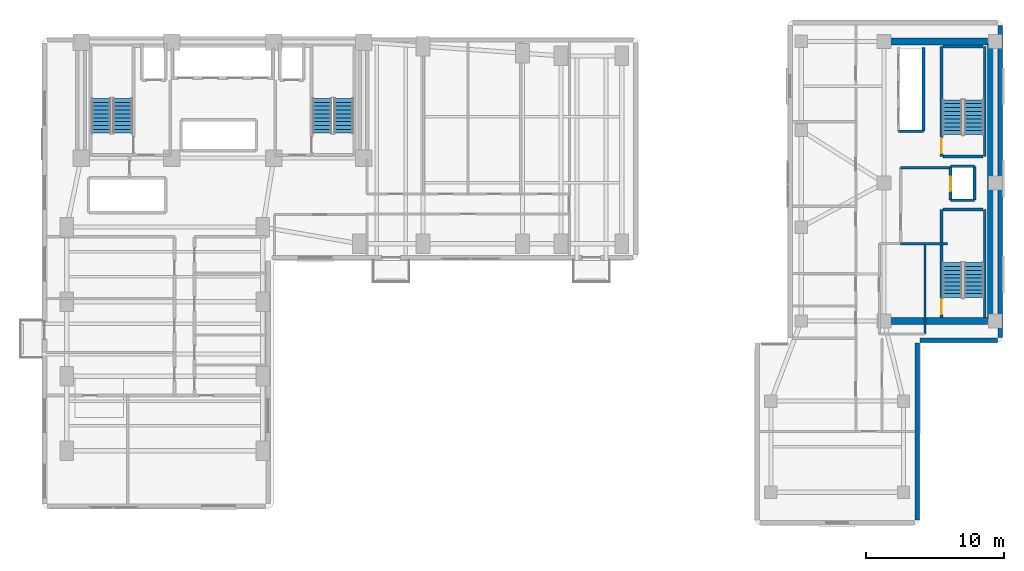
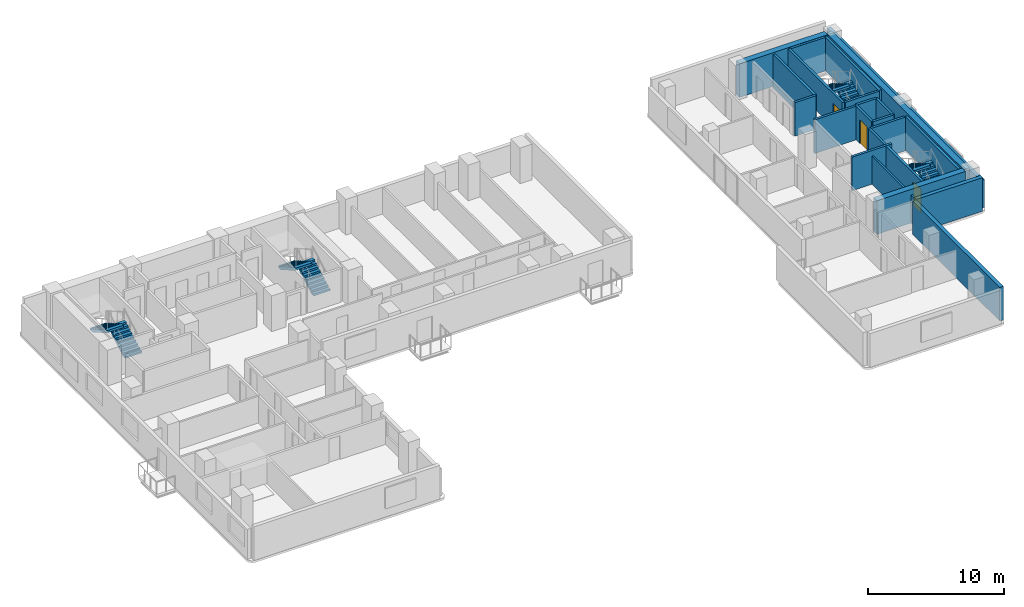
# One storey, part 13 of 17: 22 walls, 8 stair flights, 3 doors, 3 openings, 4 elements without a shape of their own.
"""IFC4 building model written with IfcOpenShell, lengths in metres."""

from ifc_helpers import new_model, si_unit, direction, frame, frame_2d, origin, place, context, subcontext, project, spatial, polyline, rectangle, outline, extrude, material, layer, layer_set, type_object, element, fill, aggregate, save


model = new_model("IFC4")

# Units and contexts
model_context = context("Model", 3, precision=1e-05, world=origin(), true_north=direction((0.0, 1.0)))
body_context = subcontext(model_context, "Body", "Model", "MODEL_VIEW")
ifc_project = project(units=[si_unit("LENGTHUNIT", "METRE"), si_unit("AREAUNIT", "SQUARE_METRE"), si_unit("VOLUMEUNIT", "CUBIC_METRE"), si_unit("PLANEANGLEUNIT", "RADIAN"), si_unit("MASSUNIT", "GRAM", prefix="KILO")], contexts=[model_context])

# Site, building, storey
site_placement = place(None, origin())
site = spatial("IfcSite", under=ifc_project, at=site_placement, CompositionType="ELEMENT")
building_placement = place(site_placement, origin())
building = spatial("IfcBuilding", under=site, at=building_placement, Name="Kuzgunbayir Cultural Tower", CompositionType="ELEMENT")
storey_placement = place(building_placement, frame((0.0, 0.0, 56.39990234375)))
storey = spatial("IfcBuildingStorey", under=building, at=storey_placement, Name="L15", CompositionType="ELEMENT", Elevation=56.39990234375)

# Walls
ifc_material_1 = material(Name="Travertine Buff Ashlar", Category="masonry")
ifc_layer_1 = layer(ifc_material_1, 0.320068359375)
ifc_layer_set_1 = layer_set([ifc_layer_1], Name="Travertine Buff Ashlar")
wall_type_1 = type_object("IfcWallType", Name="WAL-EXT-STONE-320", PredefinedType="STANDARD", material=ifc_layer_set_1)
wall_1_placement = place(storey_placement, frame((73.0, 20.800048828125, 0.0), z_axis=(0.0, 0.0, 1.0), x_axis=(0.0, 1.0, 0.0)))
element("IfcWall", 1, at=wall_1_placement, inside=storey, type_object=wall_type_1, Name="L15 Companion East Limestone Wall", PredefinedType="STANDARD", context=body_context, shape_type="SweptSolid", body=[
    extrude(rectangle(XDim=22.599853515625, YDim=0.320068359375, at=frame_2d((11.2998046875, 0.0))), origin(), (0.0, 0.0, 1.0), 2.510009765625),
])
wall_2_placement = place(storey_placement, frame((67.0, 7.60009765625, 0.0), z_axis=(0.0, 0.0, 1.0), x_axis=(0.0, 1.0, 0.0)))
element("IfcWall", 2, at=wall_2_placement, inside=storey, type_object=wall_type_1, Name="L15 Companion Wing B East Wall", PredefinedType="STANDARD", context=body_context, shape_type="SweptSolid", body=[
    extrude(rectangle(XDim=12.7998046875, YDim=0.320068359375, at=frame_2d((6.39990234375, 0.0))), origin(), (0.0, 0.0, 1.0), 3.02001953125),
])
wall_3_placement = place(storey_placement, frame((67.199951171875, 20.60009765625, 0.0), z_axis=(0.0, 0.0, 1.0), x_axis=(1.0, 0.0, 0.0)))
element("IfcWall", 3, at=wall_3_placement, inside=storey, type_object=wall_type_1, Name="L15 Companion South-East Link", PredefinedType="STANDARD", context=body_context, shape_type="SweptSolid", body=[
    extrude(rectangle(XDim=5.60009765625, YDim=0.320068359375, at=frame_2d((2.800048828125, 0.0))), origin(), (0.0, 0.0, 1.0), 3.02001953125),
])
ifc_material_2 = material(Name="Acoustic Double-Stud Drywall", Category="gypsum")
ifc_layer_2 = layer(ifc_material_2, 0.14990234375)
ifc_layer_set_2 = layer_set([ifc_layer_2], Name="Acoustic Double-Stud Drywall")
wall_type_2 = type_object("IfcWallType", Name="WAL-PART-ACOUSTIC-150", PredefinedType="PARTITIONING", material=ifc_layer_set_2)
wall_4_placement = place(storey_placement, frame((67.550048828125, 21.050048828125, 0.0), z_axis=(0.0, 0.0, 1.0), x_axis=(0.0, 1.0, 0.0)))
element("IfcWall", 4, at=wall_4_placement, inside=storey, type_object=wall_type_2, Name="L15 Companion Archive East Wall", PredefinedType="PARTITIONING", context=body_context, shape_type="SweptSolid", body=[
    extrude(rectangle(XDim=6.469970703125, YDim=0.14990234375, at=frame_2d((3.23486328125, 0.0))), origin(), (0.0, 0.0, 1.0), 2.510009765625),
])
ifc_material_3 = material(Name="Aerated Concrete Blockwork", Category="masonry")
ifc_layer_3 = layer(ifc_material_3, 0.199951171875)
ifc_layer_set_3 = layer_set([ifc_layer_3], Name="Aerated Concrete Blockwork")
wall_type_3 = type_object("IfcWallType", Name="WAL-PART-FIRE-200", PredefinedType="PARTITIONING", material=ifc_layer_set_3)
wall_5_placement = place(storey_placement, frame((65.800048828125, 33.10009765625, 0.0), z_axis=(0.0, 0.0, 1.0), x_axis=(1.0, 0.0, 0.0)))
element("IfcWall", 5, at=wall_5_placement, inside=storey, type_object=wall_type_3, Name="L15 FFL-3 Lobby North Fire Wall", PredefinedType="PARTITIONING", context=body_context, shape_type="SweptSolid", body=[
    extrude(rectangle(XDim=3.599853515625, YDim=0.199951171875, at=frame_2d((1.7998046875, 0.0))), origin(), (0.0, 0.0, 1.0), 3.02001953125),
])
wall_6_placement = place(storey_placement, frame((65.800048828125, 27.60009765625, 0.0), z_axis=(0.0, 0.0, 1.0), x_axis=(1.0, 0.0, 0.0)))
element("IfcWall", 6, at=wall_6_placement, inside=storey, type_object=wall_type_3, Name="L15 FFL-3 Lobby South Fire Wall", PredefinedType="PARTITIONING", context=body_context, shape_type="SweptSolid", body=[
    extrude(rectangle(XDim=3.39990234375, YDim=0.199951171875, at=frame_2d((1.699951171875, 0.0))), origin(), (0.0, 0.0, 1.0), 3.02001953125),
])
ifc_material_4 = material(Name="Concrete C40/50", Category="concrete")
ifc_layer_4 = layer(ifc_material_4, 0.199951171875)
ifc_layer_set_4 = layer_set([ifc_layer_4], Name="Concrete C40/50")
wall_type_4 = type_object("IfcWallType", Name="WAL-SHAFT-200", PredefinedType="MOVABLE", material=ifc_layer_set_4)
wall_7_placement = place(storey_placement, frame((67.449951171875, 35.75, 0.0), z_axis=(0.0, 0.0, 1.0), x_axis=(0.0, 1.0, 0.0)))
element("IfcWall", 7, at=wall_7_placement, inside=storey, type_object=wall_type_4, Name="L15 Companion Lift Shaft Back Wall", PredefinedType="MOVABLE", context=body_context, shape_type="SweptSolid", body=[
    extrude(rectangle(XDim=6.050048828125, YDim=0.199951171875, at=frame_2d((3.02490234375, 0.0))), origin(), (0.0, 0.0, 1.0), 3.02001953125),
])
wall_8_placement = place(storey_placement, frame((65.64990234375, 35.75, 0.0), z_axis=(0.0, 0.0, 1.0), x_axis=(1.0, 0.0, 0.0)))
element("IfcWall", 8, at=wall_8_placement, inside=storey, type_object=wall_type_4, Name="L15 Companion Lift Shaft South Wall", PredefinedType="MOVABLE", context=body_context, shape_type="SweptSolid", body=[
    extrude(rectangle(XDim=1.800048828125, YDim=0.199951171875, at=frame_2d((0.89990234375, 0.0))), origin(), (0.0, 0.0, 1.0), 3.02001953125),
])

# Wall, opening, door
wall_9_placement = place(storey_placement, frame((69.39990234375, 30.75, 0.0), z_axis=(0.0, 0.0, 1.0), x_axis=(0.0, 1.0, 0.0)))
wall_9 = element("IfcWall", 9, at=wall_9_placement, inside=storey, type_object=wall_type_4, Name="L15 FFL-3 Lift Front Wall", PredefinedType="MOVABLE", context=body_context, shape_type="SweptSolid", body=[
    extrude(rectangle(XDim=2.449951171875, YDim=0.199951171875, at=frame_2d((1.22509765625, 0.0))), origin(), (0.0, 0.0, 1.0), 3.02001953125),
])
opening_1_placement = place(wall_9_placement, frame((0.64990234375, 0.0, 0.0)))
opening_1 = element("IfcOpeningElement", 10, at=opening_1_placement, cuts=wall_9, Name="Opening LD", PredefinedType="OPENING", context=body_context, shape_type="SweptSolid", body=[
    extrude(rectangle(XDim=1.050048828125, YDim=2.14990234375, at=frame_2d((0.52490234375, 1.074951171875))), frame((0.0, 0.10986328125, 0.0), z_axis=(0.0, -1.0, 0.0), x_axis=(1.0, 0.0, 0.0)), (0.0, 0.0, 1.0), 0.219970703125),
])
ifc_material_5 = material(Name="Brushed Stainless Steel", Category="steel")
door_type_1 = type_object("IfcDoorType", Name="DR-LIFT-LANDING", OperationType="SLIDING_TO_LEFT", PredefinedType="DOOR", material=ifc_material_5)
door_1_placement = place(opening_1_placement, origin())
door_1 = element("IfcDoor", 11, at=door_1_placement, inside=storey, type_object=door_type_1, Name="L15 Lift FFL-3 Landing Door", OperationType="SLIDING_TO_LEFT", OverallHeight=2.14990234375, OverallWidth=1.050048828125, PredefinedType="DOOR", context=body_context, shape_type="SweptSolid", body=[
    extrude(rectangle(XDim=1.050048828125, YDim=2.14990234375, at=frame_2d((0.52490234375, 1.074951171875))), frame((0.0, 0.02490234375, 0.0), z_axis=(0.0, -1.0, 0.0), x_axis=(1.0, 0.0, 0.0)), (0.0, 0.0, 1.0), 0.050048828125),
])
fill(opening_1, door_1)

# Walls
wall_10_placement = place(storey_placement, frame((71.14990234375, 30.75, 0.0), z_axis=(0.0, 0.0, 1.0), x_axis=(0.0, 1.0, 0.0)))
element("IfcWall", 12, at=wall_10_placement, inside=storey, type_object=wall_type_4, Name="L15 FFL-3 Shaft Back Wall", PredefinedType="MOVABLE", context=body_context, shape_type="SweptSolid", body=[
    extrude(rectangle(XDim=2.449951171875, YDim=0.199951171875, at=frame_2d((1.22509765625, 0.0))), origin(), (0.0, 0.0, 1.0), 3.02001953125),
])
for number, where, z_axis, x_axis, name in (
    (13, (69.39990234375, 33.199951171875, 0.0), (0.0, 0.0, 1.0), (1.0, 0.0, 0.0), "L15 FFL-3 Shaft North Wall"),
    (14, (69.39990234375, 30.75, 0.0), (0.0, 0.0, 1.0), (1.0, 0.0, 0.0), "L15 FFL-3 Shaft South Wall"),
):
    element("IfcWall", number, at=place(storey_placement, frame(where, z_axis=z_axis, x_axis=x_axis)), inside=storey, type_object=wall_type_4, Name=name, PredefinedType="MOVABLE", context=body_context, shape_type="SweptSolid", body=[
        extrude(rectangle(XDim=1.75, YDim=0.199951171875, at=frame_2d((0.875, 0.0))), origin(), (0.0, 0.0, 1.0), 3.02001953125),
    ])

# Wall, opening, door
ifc_layer_5 = layer(ifc_material_4, 0.199951171875)
ifc_layer_set_5 = layer_set([ifc_layer_5], Name="Concrete C40/50")
wall_type_5 = type_object("IfcWallType", Name="WAL-STAIR-RC-200", PredefinedType="SHEAR", material=ifc_layer_set_5)
wall_11_placement = place(storey_placement, frame((68.760009765625, 22.260009765625, 0.0), z_axis=(0.0, 0.0, 1.0), x_axis=(0.0, 1.0, 0.0)))
wall_11 = element("IfcWall", 15, at=wall_11_placement, inside=storey, type_object=wall_type_5, Name="L15 Stair ST-3 West Structural Wall", PredefinedType="SHEAR", context=body_context, shape_type="SweptSolid", body=[
    extrude(rectangle(XDim=7.820068359375, YDim=0.199951171875, at=frame_2d((3.91015625, 0.0))), origin(), (0.0, 0.0, 1.0), 3.02001953125),
])
opening_2_placement = place(wall_11_placement, frame((0.219970703125, 0.0, 0.0)))
opening_2 = element("IfcOpeningElement", 16, at=opening_2_placement, cuts=wall_11, Name="Opening DR-STAIR-90", PredefinedType="OPENING", context=body_context, shape_type="SweptSolid", body=[
    extrude(rectangle(XDim=1.10009765625, YDim=2.14990234375, at=frame_2d((0.550048828125, 1.074951171875))), frame((0.0, 0.10986328125, 0.0), z_axis=(0.0, -1.0, 0.0), x_axis=(1.0, 0.0, 0.0)), (0.0, 0.0, 1.0), 0.219970703125),
])
ifc_material_6 = material(Name="Steel S355J2", Category="steel")
door_type_2 = type_object("IfcDoorType", Name="DR-STAIR-90", OperationType="NOTDEFINED", PredefinedType="DOOR", material=ifc_material_6)
door_2_placement = place(opening_2_placement, origin())
door_2 = element("IfcDoor", 17, at=door_2_placement, inside=storey, type_object=door_type_2, Name="L15 Stair ST-3 Fire Door", OperationType="SINGLE_SWING_LEFT", OverallHeight=2.14990234375, OverallWidth=1.10009765625, PredefinedType="DOOR", context=body_context, shape_type="SweptSolid", body=[
    extrude(rectangle(XDim=1.10009765625, YDim=2.14990234375, at=frame_2d((0.550048828125, 1.074951171875))), frame((0.0, 0.02490234375, 0.0), z_axis=(0.0, -1.0, 0.0), x_axis=(1.0, 0.0, 0.0)), (0.0, 0.0, 1.0), 0.050048828125),
])
fill(opening_2, door_2)

# Walls
wall_12_placement = place(storey_placement, frame((71.8798828125, 22.260009765625, 0.0), z_axis=(0.0, 0.0, 1.0), x_axis=(0.0, 1.0, 0.0)))
element("IfcWall", 18, at=wall_12_placement, inside=storey, type_object=wall_type_5, Name="L15 Stair ST-3 East Structural Wall", PredefinedType="SHEAR", context=body_context, shape_type="SweptSolid", body=[
    extrude(rectangle(XDim=7.820068359375, YDim=0.199951171875, at=frame_2d((3.91015625, 0.0))), origin(), (0.0, 0.0, 1.0), 3.02001953125),
])
wall_13_placement = place(storey_placement, frame((68.8798828125, 30.080078125, 0.0), z_axis=(0.0, 0.0, 1.0), x_axis=(1.0, 0.0, 0.0)))
element("IfcWall", 19, at=wall_13_placement, inside=storey, type_object=wall_type_5, Name="L15 Stair ST-3 North Structural Wall", PredefinedType="SHEAR", context=body_context, shape_type="SweptSolid", body=[
    extrude(rectangle(XDim=2.880126953125, YDim=0.199951171875, at=frame_2d((1.43994140625, 0.0))), origin(), (0.0, 0.0, 1.0), 3.02001953125),
])

# Wall, opening, door
wall_14_placement = place(storey_placement, frame((68.760009765625, 33.919921875, 0.0), z_axis=(0.0, 0.0, 1.0), x_axis=(0.0, 1.0, 0.0)))
wall_14 = element("IfcWall", 20, at=wall_14_placement, inside=storey, type_object=wall_type_5, Name="L15 Stair ST-4 West Structural Wall", PredefinedType="SHEAR", context=body_context, shape_type="SweptSolid", body=[
    extrude(rectangle(XDim=7.9599609375, YDim=0.199951171875, at=frame_2d((3.97998046875, 0.0))), origin(), (0.0, 0.0, 1.0), 3.02001953125),
])
opening_3_placement = place(wall_14_placement, frame((0.219970703125, 0.0, 0.0)))
opening_3 = element("IfcOpeningElement", 21, at=opening_3_placement, cuts=wall_14, Name="Opening DR-STAIR-90", PredefinedType="OPENING", context=body_context, shape_type="SweptSolid", body=[
    extrude(rectangle(XDim=1.10009765625, YDim=2.14990234375, at=frame_2d((0.550048828125, 1.074951171875))), frame((0.0, 0.10986328125, 0.0), z_axis=(0.0, -1.0, 0.0), x_axis=(1.0, 0.0, 0.0)), (0.0, 0.0, 1.0), 0.219970703125),
])
door_3_placement = place(opening_3_placement, origin())
door_3 = element("IfcDoor", 22, at=door_3_placement, inside=storey, type_object=door_type_2, Name="L15 Stair ST-4 Fire Door", OperationType="SINGLE_SWING_RIGHT", OverallHeight=2.14990234375, OverallWidth=1.10009765625, PredefinedType="DOOR", context=body_context, shape_type="SweptSolid", body=[
    extrude(rectangle(XDim=1.10009765625, YDim=2.14990234375, at=frame_2d((0.550048828125, 1.074951171875))), frame((0.0, 0.02490234375, 0.0), z_axis=(0.0, -1.0, 0.0), x_axis=(1.0, 0.0, 0.0)), (0.0, 0.0, 1.0), 0.050048828125),
])
fill(opening_3, door_3)

# Walls
wall_15_placement = place(storey_placement, frame((71.8798828125, 33.919921875, 0.0), z_axis=(0.0, 0.0, 1.0), x_axis=(0.0, 1.0, 0.0)))
element("IfcWall", 23, at=wall_15_placement, inside=storey, type_object=wall_type_5, Name="L15 Stair ST-4 East Structural Wall", PredefinedType="SHEAR", context=body_context, shape_type="SweptSolid", body=[
    extrude(rectangle(XDim=7.9599609375, YDim=0.199951171875, at=frame_2d((3.97998046875, 0.0))), origin(), (0.0, 0.0, 1.0), 3.02001953125),
])
for number, where, z_axis, x_axis, name in (
    (24, (68.8798828125, 41.8798828125, 0.0), (0.0, 0.0, 1.0), (1.0, 0.0, 0.0), "L15 Stair ST-4 North Structural Wall"),
    (25, (68.8798828125, 33.919921875, 0.0), (0.0, 0.0, 1.0), (1.0, 0.0, 0.0), "L15 Stair ST-4 South Structural Wall"),
):
    element("IfcWall", number, at=place(storey_placement, frame(where, z_axis=z_axis, x_axis=x_axis)), inside=storey, type_object=wall_type_5, Name=name, PredefinedType="SHEAR", context=body_context, shape_type="SweptSolid", body=[
        extrude(rectangle(XDim=2.880126953125, YDim=0.199951171875, at=frame_2d((1.43994140625, 0.0))), origin(), (0.0, 0.0, 1.0), 3.02001953125),
    ])
ifc_material_7 = material(Name="Concrete C60/75", Category="concrete")
ifc_layer_6 = layer(ifc_material_7, 0.5)
ifc_layer_set_6 = layer_set([ifc_layer_6], Name="Concrete C60/75")
wall_type_6 = type_object("IfcWallType", Name="WAL-T2-CORE-500", PredefinedType="SHEAR", material=ifc_layer_set_6)
wall_16_placement = place(storey_placement, frame((72.35009765625, 22.0, 0.0), z_axis=(0.0, 0.0, 1.0), x_axis=(0.0, 1.0, 0.0)))
element("IfcWall", 26, at=wall_16_placement, inside=storey, type_object=wall_type_6, Name="L15 Companion Core East Shear Wall", PredefinedType="SHEAR", context=body_context, shape_type="SweptSolid", body=[
    extrude(rectangle(XDim=20.25, YDim=0.5, at=frame_2d((10.125, 0.0))), origin(), (0.0, 0.0, 1.0), 3.02001953125),
])
for number, where, z_axis, x_axis, name in (
    (27, (64.60009765625, 42.25, 0.0), (0.0, 0.0, 1.0), (1.0, 0.0, 0.0), "L15 Companion Core North Shear Wall"),
    (28, (64.60009765625, 22.0, 0.0), (0.0, 0.0, 1.0), (1.0, 0.0, 0.0), "L15 Companion Core South Shear Wall"),
):
    element("IfcWall", number, at=place(storey_placement, frame(where, z_axis=z_axis, x_axis=x_axis)), inside=storey, type_object=wall_type_6, Name=name, PredefinedType="SHEAR", context=body_context, shape_type="SweptSolid", body=[
        extrude(rectangle(XDim=7.5, YDim=0.5, at=frame_2d((3.75, 0.0))), origin(), (0.0, 0.0, 1.0), 3.02001953125),
    ])

# Stair, stair flights
stair_type = type_object("IfcStairType", Name="STR-EXIT-CORE", PredefinedType="HALF_TURN_STAIR", material=ifc_material_4)
stair_1_placement = place(storey_placement, origin())
stair_1 = element("IfcStair", 29, at=stair_1_placement, inside=storey, type_object=stair_type, Name="L15 ST-1", PredefinedType="HALF_TURN_STAIR")
stair_flight_type = type_object("IfcStairFlightType", Name="STRF-RC-140", PredefinedType="STRAIGHT", material=ifc_material_4)
stair_flight_1_placement = place(storey_placement, frame((9.4599609375, 35.60009765625, 0.0), z_axis=(0.0, 0.0, 1.0), x_axis=(0.0, 1.0, 0.0)))
stair_flight_1 = element("IfcStairFlight", 30, at=stair_flight_1_placement, type_object=stair_flight_type, Name="ST-1 flight 1", NumberOfRisers=10, NumberOfTreads=9, PredefinedType="STRAIGHT", RiserHeight=0.16, TreadLength=0.28, context=body_context, shape_type="SweptSolid", body=[
    extrude(outline(polyline([(0.0, 0.0), (0.0, 0.159912109375), (0.280029296875, 0.159912109375), (0.280029296875, 0.320068359375), (0.56005859375, 0.320068359375), (0.56005859375, 0.47998046875), (0.840087890625, 0.47998046875), (0.840087890625, 0.639892578125), (1.1201171875, 0.639892578125), (1.1201171875, 0.800048828125), (1.39990234375, 0.800048828125), (1.39990234375, 0.9599609375), (1.679931640625, 0.9599609375), (1.679931640625, 1.1201171875), (1.9599609375, 1.1201171875), (1.9599609375, 1.280029296875), (2.239990234375, 1.280029296875), (2.239990234375, 1.43994140625), (2.52001953125, 1.43994140625), (2.52001953125, 1.60009765625), (2.52001953125, 1.232666015625), (0.362548828125, 0.0), (0.0, 0.0)])), frame((0.0, 0.699951171875, 0.0), z_axis=(0.0, -1.0, 0.0), x_axis=(1.0, 0.0, 0.0)), (0.0, 0.0, 1.0), 1.39990234375),
])
stair_flight_2_placement = place(storey_placement, frame((7.89990234375, 38.1201171875, 1.60009765625), z_axis=(0.0, 0.0, 1.0), x_axis=(0.0, -1.0, 0.0)))
stair_flight_2 = element("IfcStairFlight", 31, at=stair_flight_2_placement, type_object=stair_flight_type, Name="ST-1 flight 2", NumberOfRisers=10, NumberOfTreads=9, PredefinedType="STRAIGHT", RiserHeight=0.16, TreadLength=0.28, context=body_context, shape_type="SweptSolid", body=[
    extrude(outline(polyline([(0.0, 0.0), (0.0, 0.159912109375), (0.280029296875, 0.159912109375), (0.280029296875, 0.320068359375), (0.56005859375, 0.320068359375), (0.56005859375, 0.47998046875), (0.840087890625, 0.47998046875), (0.840087890625, 0.639892578125), (1.1201171875, 0.639892578125), (1.1201171875, 0.800048828125), (1.39990234375, 0.800048828125), (1.39990234375, 0.9599609375), (1.679931640625, 0.9599609375), (1.679931640625, 1.1201171875), (1.9599609375, 1.1201171875), (1.9599609375, 1.280029296875), (2.239990234375, 1.280029296875), (2.239990234375, 1.43994140625), (2.52001953125, 1.43994140625), (2.52001953125, 1.60009765625), (2.52001953125, 1.232666015625), (0.362548828125, 0.0), (0.0, 0.0)])), frame((0.0, 0.699951171875, 0.0), z_axis=(0.0, -1.0, 0.0), x_axis=(1.0, 0.0, 0.0)), (0.0, 0.0, 1.0), 1.39990234375),
])
aggregate(stair_1, [stair_flight_1, stair_flight_2])

stair_2_placement = place(storey_placement, origin())
stair_2 = element("IfcStair", 32, at=stair_2_placement, inside=storey, type_object=stair_type, Name="L15 ST-2", PredefinedType="HALF_TURN_STAIR")
stair_flight_3_placement = place(storey_placement, frame((25.4599609375, 35.60009765625, 0.0), z_axis=(0.0, 0.0, 1.0), x_axis=(0.0, 1.0, 0.0)))
stair_flight_3 = element("IfcStairFlight", 33, at=stair_flight_3_placement, type_object=stair_flight_type, Name="ST-2 flight 1", NumberOfRisers=10, NumberOfTreads=9, PredefinedType="STRAIGHT", RiserHeight=0.16, TreadLength=0.28, context=body_context, shape_type="SweptSolid", body=[
    extrude(outline(polyline([(0.0, 0.0), (0.0, 0.159912109375), (0.280029296875, 0.159912109375), (0.280029296875, 0.320068359375), (0.56005859375, 0.320068359375), (0.56005859375, 0.47998046875), (0.840087890625, 0.47998046875), (0.840087890625, 0.639892578125), (1.1201171875, 0.639892578125), (1.1201171875, 0.800048828125), (1.39990234375, 0.800048828125), (1.39990234375, 0.9599609375), (1.679931640625, 0.9599609375), (1.679931640625, 1.1201171875), (1.9599609375, 1.1201171875), (1.9599609375, 1.280029296875), (2.239990234375, 1.280029296875), (2.239990234375, 1.43994140625), (2.52001953125, 1.43994140625), (2.52001953125, 1.60009765625), (2.52001953125, 1.232666015625), (0.362548828125, 0.0), (0.0, 0.0)])), frame((0.0, 0.699951171875, 0.0), z_axis=(0.0, -1.0, 0.0), x_axis=(1.0, 0.0, 0.0)), (0.0, 0.0, 1.0), 1.39990234375),
])
stair_flight_4_placement = place(storey_placement, frame((23.89990234375, 38.1201171875, 1.60009765625), z_axis=(0.0, 0.0, 1.0), x_axis=(0.0, -1.0, 0.0)))
stair_flight_4 = element("IfcStairFlight", 34, at=stair_flight_4_placement, type_object=stair_flight_type, Name="ST-2 flight 2", NumberOfRisers=10, NumberOfTreads=9, PredefinedType="STRAIGHT", RiserHeight=0.16, TreadLength=0.28, context=body_context, shape_type="SweptSolid", body=[
    extrude(outline(polyline([(0.0, 0.0), (0.0, 0.159912109375), (0.280029296875, 0.159912109375), (0.280029296875, 0.320068359375), (0.56005859375, 0.320068359375), (0.56005859375, 0.47998046875), (0.840087890625, 0.47998046875), (0.840087890625, 0.639892578125), (1.1201171875, 0.639892578125), (1.1201171875, 0.800048828125), (1.39990234375, 0.800048828125), (1.39990234375, 0.9599609375), (1.679931640625, 0.9599609375), (1.679931640625, 1.1201171875), (1.9599609375, 1.1201171875), (1.9599609375, 1.280029296875), (2.239990234375, 1.280029296875), (2.239990234375, 1.43994140625), (2.52001953125, 1.43994140625), (2.52001953125, 1.60009765625), (2.52001953125, 1.232666015625), (0.362548828125, 0.0), (0.0, 0.0)])), frame((0.0, 0.699951171875, 0.0), z_axis=(0.0, -1.0, 0.0), x_axis=(1.0, 0.0, 0.0)), (0.0, 0.0, 1.0), 1.39990234375),
])
aggregate(stair_2, [stair_flight_3, stair_flight_4])

stair_3_placement = place(storey_placement, origin())
stair_3 = element("IfcStair", 35, at=stair_3_placement, inside=storey, type_object=stair_type, Name="L15 ST-3", PredefinedType="HALF_TURN_STAIR")
stair_flight_5_placement = place(storey_placement, frame((71.10009765625, 23.699951171875, 0.0), z_axis=(0.0, 0.0, 1.0), x_axis=(0.0, 1.0, 0.0)))
stair_flight_5 = element("IfcStairFlight", 36, at=stair_flight_5_placement, type_object=stair_flight_type, Name="ST-3 flight 1", NumberOfRisers=10, NumberOfTreads=9, PredefinedType="STRAIGHT", RiserHeight=0.16, TreadLength=0.28, context=body_context, shape_type="SweptSolid", body=[
    extrude(outline(polyline([(0.0, 0.0), (0.0, 0.159912109375), (0.280029296875, 0.159912109375), (0.280029296875, 0.320068359375), (0.56005859375, 0.320068359375), (0.56005859375, 0.47998046875), (0.840087890625, 0.47998046875), (0.840087890625, 0.639892578125), (1.1201171875, 0.639892578125), (1.1201171875, 0.800048828125), (1.39990234375, 0.800048828125), (1.39990234375, 0.9599609375), (1.679931640625, 0.9599609375), (1.679931640625, 1.1201171875), (1.9599609375, 1.1201171875), (1.9599609375, 1.280029296875), (2.239990234375, 1.280029296875), (2.239990234375, 1.43994140625), (2.52001953125, 1.43994140625), (2.52001953125, 1.60009765625), (2.52001953125, 1.232666015625), (0.362548828125, 0.0), (0.0, 0.0)])), frame((0.0, 0.699951171875, 0.0), z_axis=(0.0, -1.0, 0.0), x_axis=(1.0, 0.0, 0.0)), (0.0, 0.0, 1.0), 1.39990234375),
])
stair_flight_6_placement = place(storey_placement, frame((69.5400390625, 26.219970703125, 1.60009765625), z_axis=(0.0, 0.0, 1.0), x_axis=(0.0, -1.0, 0.0)))
stair_flight_6 = element("IfcStairFlight", 37, at=stair_flight_6_placement, type_object=stair_flight_type, Name="ST-3 flight 2", NumberOfRisers=10, NumberOfTreads=9, PredefinedType="STRAIGHT", RiserHeight=0.16, TreadLength=0.28, context=body_context, shape_type="SweptSolid", body=[
    extrude(outline(polyline([(0.0, 0.0), (0.0, 0.159912109375), (0.280029296875, 0.159912109375), (0.280029296875, 0.320068359375), (0.56005859375, 0.320068359375), (0.56005859375, 0.47998046875), (0.840087890625, 0.47998046875), (0.840087890625, 0.639892578125), (1.1201171875, 0.639892578125), (1.1201171875, 0.800048828125), (1.39990234375, 0.800048828125), (1.39990234375, 0.9599609375), (1.679931640625, 0.9599609375), (1.679931640625, 1.1201171875), (1.9599609375, 1.1201171875), (1.9599609375, 1.280029296875), (2.239990234375, 1.280029296875), (2.239990234375, 1.43994140625), (2.52001953125, 1.43994140625), (2.52001953125, 1.60009765625), (2.52001953125, 1.232666015625), (0.362548828125, 0.0), (0.0, 0.0)])), frame((0.0, 0.699951171875, 0.0), z_axis=(0.0, -1.0, 0.0), x_axis=(1.0, 0.0, 0.0)), (0.0, 0.0, 1.0), 1.39990234375),
])
aggregate(stair_3, [stair_flight_5, stair_flight_6])

stair_4_placement = place(storey_placement, origin())
stair_4 = element("IfcStair", 38, at=stair_4_placement, inside=storey, type_object=stair_type, Name="L15 ST-4", PredefinedType="HALF_TURN_STAIR")
stair_flight_7_placement = place(storey_placement, frame((71.10009765625, 35.5, 0.0), z_axis=(0.0, 0.0, 1.0), x_axis=(0.0, 1.0, 0.0)))
stair_flight_7 = element("IfcStairFlight", 39, at=stair_flight_7_placement, type_object=stair_flight_type, Name="ST-4 flight 1", NumberOfRisers=10, NumberOfTreads=9, PredefinedType="STRAIGHT", RiserHeight=0.16, TreadLength=0.28, context=body_context, shape_type="SweptSolid", body=[
    extrude(outline(polyline([(0.0, 0.0), (0.0, 0.159912109375), (0.280029296875, 0.159912109375), (0.280029296875, 0.320068359375), (0.56005859375, 0.320068359375), (0.56005859375, 0.47998046875), (0.840087890625, 0.47998046875), (0.840087890625, 0.639892578125), (1.1201171875, 0.639892578125), (1.1201171875, 0.800048828125), (1.39990234375, 0.800048828125), (1.39990234375, 0.9599609375), (1.679931640625, 0.9599609375), (1.679931640625, 1.1201171875), (1.9599609375, 1.1201171875), (1.9599609375, 1.280029296875), (2.239990234375, 1.280029296875), (2.239990234375, 1.43994140625), (2.52001953125, 1.43994140625), (2.52001953125, 1.60009765625), (2.52001953125, 1.232666015625), (0.362548828125, 0.0), (0.0, 0.0)])), frame((0.0, 0.699951171875, 0.0), z_axis=(0.0, -1.0, 0.0), x_axis=(1.0, 0.0, 0.0)), (0.0, 0.0, 1.0), 1.39990234375),
])
stair_flight_8_placement = place(storey_placement, frame((69.5400390625, 38.02001953125, 1.60009765625), z_axis=(0.0, 0.0, 1.0), x_axis=(0.0, -1.0, 0.0)))
stair_flight_8 = element("IfcStairFlight", 40, at=stair_flight_8_placement, type_object=stair_flight_type, Name="ST-4 flight 2", NumberOfRisers=10, NumberOfTreads=9, PredefinedType="STRAIGHT", RiserHeight=0.16, TreadLength=0.28, context=body_context, shape_type="SweptSolid", body=[
    extrude(outline(polyline([(0.0, 0.0), (0.0, 0.159912109375), (0.280029296875, 0.159912109375), (0.280029296875, 0.320068359375), (0.56005859375, 0.320068359375), (0.56005859375, 0.47998046875), (0.840087890625, 0.47998046875), (0.840087890625, 0.639892578125), (1.1201171875, 0.639892578125), (1.1201171875, 0.800048828125), (1.39990234375, 0.800048828125), (1.39990234375, 0.9599609375), (1.679931640625, 0.9599609375), (1.679931640625, 1.1201171875), (1.9599609375, 1.1201171875), (1.9599609375, 1.280029296875), (2.239990234375, 1.280029296875), (2.239990234375, 1.43994140625), (2.52001953125, 1.43994140625), (2.52001953125, 1.60009765625), (2.52001953125, 1.232666015625), (0.362548828125, 0.0), (0.0, 0.0)])), frame((0.0, 0.699951171875, 0.0), z_axis=(0.0, -1.0, 0.0), x_axis=(1.0, 0.0, 0.0)), (0.0, 0.0, 1.0), 1.39990234375),
])
aggregate(stair_4, [stair_flight_7, stair_flight_8])

save(model, "model.ifc")
